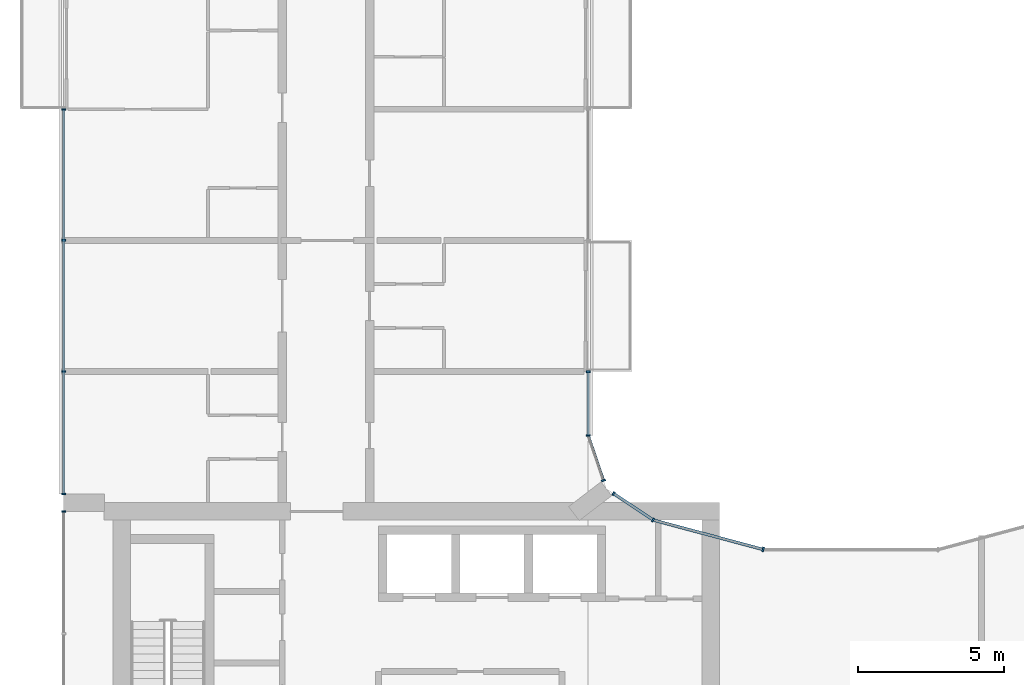
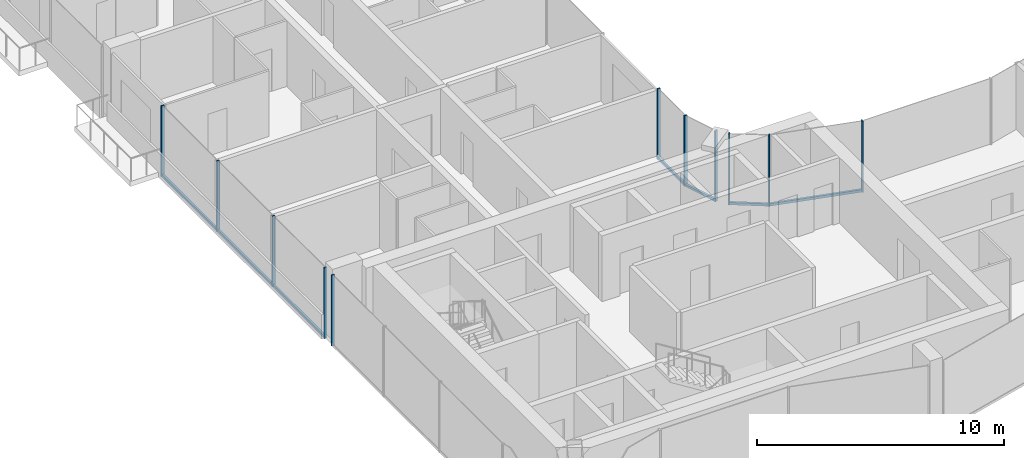
# One storey, part 4 of 15: 16 members, 6 elements without a shape of their own.
"""IFC4 building model written with IfcOpenShell, lengths in metres."""

import ifcopenshell
import ifcopenshell.guid

model = None  # the IFC model being written
_history = None  # IfcOwnerHistory: only IFC2X3 demands one
_inside = {}  # id of a spatial element -> (the spatial element, [elements in it])
_under = {}  # id of a project, library or spatial element -> (it, [spatial elements below it])
_declared = {}  # id of a project -> (the project, [libraries it declares])
_typed = {}  # id of a type object -> (the type object, [elements of that type])
_made_of = {}  # id of a material, layer set ... -> (it, [elements and type objects made of it])


def new_model(schema):
    """Start an empty IFC model of exactly this schema.

    Asked for "IFC4X3", IfcOpenShell would pick the latest addendum, in which some entities
    have other attributes; the version numbers below select the first issue.
    IFC2X3 requires an IfcOwnerHistory on every rooted entity: one is made here for all.
    """
    global model, _history
    if schema == "IFC4X3":
        model = ifcopenshell.file(schema_version=(4, 3, 0, 0))
    else:
        model = ifcopenshell.file(schema=schema)
    _inside.clear()
    _under.clear()
    _declared.clear()
    _typed.clear()
    _made_of.clear()
    _history = None
    if model.schema == "IFC2X3":
        org = make("IfcOrganization", Name="unknown")
        user = make(
            "IfcPersonAndOrganization",
            ThePerson=make("IfcPerson", FamilyName="unknown"),
            TheOrganization=org,
        )
        app = make(
            "IfcApplication",
            ApplicationDeveloper=org,
            Version="unknown",
            ApplicationFullName="unknown",
            ApplicationIdentifier="unknown",
        )
        _history = make(
            "IfcOwnerHistory",
            OwningUser=user,
            OwningApplication=app,
            ChangeAction="ADDED",
            CreationDate=0,
        )
    return model


def make(cls, **values):
    """One entity of the class cls with the attributes given. An attribute that is None is left unset."""
    return model.create_entity(
        cls, **{name: value for name, value in values.items() if value is not None}
    )


def rooted(cls, **values):
    """An entity with a GlobalId (a new one), such as an element, a storey or a relation."""
    return make(cls, GlobalId=ifcopenshell.guid.new(), OwnerHistory=_history, **values)


def si_unit(unit_type, name, prefix=None):
    """IfcSIUnit, for example si_unit("LENGTHUNIT", "METRE", prefix="MILLI")."""
    return make("IfcSIUnit", UnitType=unit_type, Prefix=prefix, Name=name)


def assignment(units):
    """IfcUnitAssignment: the units of a project."""
    return None if units is None else make("IfcUnitAssignment", Units=units)


def point(xyz):
    """IfcCartesianPoint."""
    return None if xyz is None else make("IfcCartesianPoint", Coordinates=xyz)


def direction(xyz):
    """IfcDirection."""
    return None if xyz is None else make("IfcDirection", DirectionRatios=xyz)


def frame(location, z_axis=None, x_axis=None):
    """IfcAxis2Placement3D, a coordinate frame: its origin and axes. An axis left out is left unset."""
    return make(
        "IfcAxis2Placement3D",
        Location=point(location),
        Axis=direction(z_axis),
        RefDirection=direction(x_axis),
    )


def frame_2d(location, x_axis=None):
    """IfcAxis2Placement2D, a coordinate frame in the plane: its origin and x axis."""
    return make(
        "IfcAxis2Placement2D", Location=point(location), RefDirection=direction(x_axis)
    )


def origin():
    """The frame at (0, 0, 0) with its axes left unset."""
    return frame((0.0, 0.0, 0.0))


def origin_2d():
    """The frame at (0, 0) in the plane with its x axis left unset."""
    return frame_2d((0.0, 0.0))


def place(relative_to, where):
    """IfcLocalPlacement: puts the frame where relative to a parent placement (None: the world)."""
    return make(
        "IfcLocalPlacement", PlacementRelTo=relative_to, RelativePlacement=where
    )


def context(
    kind, dimensions, precision=None, world=None, true_north=None, identifier=None
):
    """IfcGeometricRepresentationContext, for example the 3D "Model" context."""
    return make(
        "IfcGeometricRepresentationContext",
        ContextIdentifier=identifier,
        ContextType=kind,
        CoordinateSpaceDimension=dimensions,
        Precision=precision,
        WorldCoordinateSystem=world,
        TrueNorth=true_north,
    )


def subcontext(parent, identifier, kind, view, scale=None):
    """IfcGeometricRepresentationSubContext, for example "Body" below "Model"."""
    return make(
        "IfcGeometricRepresentationSubContext",
        ContextIdentifier=identifier,
        ContextType=kind,
        ParentContext=parent,
        TargetScale=scale,
        TargetView=view,
    )


def project(units=None, contexts=None):
    """IfcProject with its units and contexts."""
    return rooted(
        "IfcProject",
        Name="project",
        RepresentationContexts=contexts,
        UnitsInContext=assignment(units),
    )


def spatial(cls, under=None, at=None, **own):
    """A site, building, storey or space (cls), placed at a placement, below another one or the project."""
    s = rooted(cls, ObjectPlacement=at, **own)
    if under is not None:
        _under.setdefault(under.id(), (under, []))[1].append(s)
    return s


def profile(cls, at=None, kind="AREA", **sizes):
    """A parametric profile (cls). Its sizes go by their IFC names, for example OverallWidth=200.0."""
    return make(cls, ProfileType=kind, Position=at, **sizes)


def rectangle(**sizes):
    """IfcRectangleProfileDef."""
    return profile("IfcRectangleProfileDef", **sizes)


def extrude(swept, where, along, depth):
    """IfcExtrudedAreaSolid: the profile swept, set in the frame where, extruded along a direction by depth."""
    return make(
        "IfcExtrudedAreaSolid",
        SweptArea=swept,
        Position=where,
        ExtrudedDirection=direction(along),
        Depth=depth,
    )


def shape(context_of_items, identifier, shape_type, items):
    """IfcShapeRepresentation: the items that make up one representation, for example the "Body"."""
    return make(
        "IfcShapeRepresentation",
        ContextOfItems=context_of_items,
        RepresentationIdentifier=identifier,
        RepresentationType=shape_type,
        Items=items,
    )


def material(Name=None, Category=None):
    """IfcMaterial."""
    return make("IfcMaterial", Name=Name, Category=Category)


def layer(
    of_material, thickness, ventilated=None, Name=None, Category=None, Priority=None
):
    """IfcMaterialLayer: one layer of a wall or slab, of a material (None: an air gap)."""
    return make(
        "IfcMaterialLayer",
        Material=of_material,
        LayerThickness=thickness,
        IsVentilated=ventilated,
        Name=Name,
        Category=Category,
        Priority=Priority,
    )


def layer_set(layers, Name=None):
    """IfcMaterialLayerSet."""
    return make("IfcMaterialLayerSet", MaterialLayers=layers, LayerSetName=Name)


def material_profile(
    of_material, cross_section, Name=None, Category=None, Priority=None
):
    """IfcMaterialProfile: a cross section and its material."""
    return make(
        "IfcMaterialProfile",
        Name=Name,
        Material=of_material,
        Profile=cross_section,
        Priority=Priority,
        Category=Category,
    )


def profile_set(profiles, Name=None, composite=None):
    """IfcMaterialProfileSet."""
    return make(
        "IfcMaterialProfileSet",
        Name=Name,
        MaterialProfiles=profiles,
        CompositeProfile=composite,
    )


def made_of(thing, what):
    """Note that an element or type object is made of a material, layer set ...; save() writes the relation."""
    if what is not None:
        _made_of.setdefault(what.id(), (what, []))[1].append(thing)
    return thing


def type_object(cls, material=None, **own):
    """A type object (cls), such as IfcWallType, which elements share."""
    return made_of(rooted(cls, **own), material)


def element(
    cls,
    number,
    at=None,
    inside=None,
    cuts=None,
    type_object=None,
    material=None,
    context=None,
    identifier="Body",
    shape_type=None,
    held_by="IfcProductDefinitionShape",
    body=None,
    shapes=None,
    **own,
):
    """One element of the class cls, such as IfcWall. Its Tag is "e" and its number.

    at: its placement. inside: the storey or other place that contains it. cuts: it is an
    opening in that element (IfcRelVoidsElement). A single representation is given by context,
    identifier, shape_type and body (its items); several are given by shapes. held_by: the class
    of the entity that holds the representations. save() writes the other relations.
    """
    e = rooted(cls, Tag="e%d" % number, ObjectPlacement=at, **own)
    if body is not None:
        shapes = [shape(context, identifier, shape_type, body)]
    if shapes is not None:
        e.Representation = make(held_by, Representations=shapes)
    if inside is not None:
        _inside.setdefault(inside.id(), (inside, []))[1].append(e)
    if cuts is not None:
        rooted(
            "IfcRelVoidsElement", RelatingBuildingElement=cuts, RelatedOpeningElement=e
        )
    if type_object is not None:
        _typed.setdefault(type_object.id(), (type_object, []))[1].append(e)
    return made_of(e, material)


def aggregate(whole, parts):
    """IfcRelAggregates: a whole, such as a stair, and the parts it consists of."""
    return rooted("IfcRelAggregates", RelatingObject=whole, RelatedObjects=parts)


def save(model, path):
    """Write the relations noted so far, then the file.

    IfcRelAggregates (storeys below a building ...), IfcRelContainedInSpatialStructure (elements
    in a storey), IfcRelDefinesByType, IfcRelAssociatesMaterial and IfcRelDeclares: one each for
    every whole, place, type object, material and project.
    """
    for whole, parts in _under.values():
        aggregate(whole, parts)
    for where, things in _inside.values():
        rooted(
            "IfcRelContainedInSpatialStructure",
            RelatedElements=things,
            RelatingStructure=where,
        )
    for kind, things in _typed.values():
        rooted("IfcRelDefinesByType", RelatedObjects=things, RelatingType=kind)
    for what, things in _made_of.values():
        rooted("IfcRelAssociatesMaterial", RelatedObjects=things, RelatingMaterial=what)
    for by, libraries in _declared.values():
        rooted("IfcRelDeclares", RelatingContext=by, RelatedDefinitions=libraries)
    model.write(path)


model = new_model("IFC4")

# Units and contexts
model_context = context("Model", 3, precision=1e-05, world=origin(), true_north=direction((0.0, 1.0)))
body_context = subcontext(model_context, "Body", "Model", "MODEL_VIEW")
ifc_project = project(units=[si_unit("LENGTHUNIT", "METRE"), si_unit("AREAUNIT", "SQUARE_METRE"), si_unit("VOLUMEUNIT", "CUBIC_METRE"), si_unit("PLANEANGLEUNIT", "RADIAN"), si_unit("MASSUNIT", "GRAM", prefix="KILO")], contexts=[model_context])

# Site, building, storey
site_placement = place(None, origin())
site = spatial("IfcSite", under=ifc_project, at=site_placement, CompositionType="ELEMENT")
building_placement = place(site_placement, origin())
building = spatial("IfcBuilding", under=site, at=building_placement, Name="Plateau Cross Towers", CompositionType="ELEMENT")
storey_placement = place(building_placement, frame((0.0, 0.0, 149.89990234375)))
storey = spatial("IfcBuildingStorey", under=building, at=storey_placement, Name="L38", CompositionType="ELEMENT", Elevation=149.89990234375)

# Curtain wall, members
ifc_material_1 = material(Name="Dark low-iron glass", Category="glass")
ifc_layer_1 = layer(ifc_material_1, 0.239990234375)
ifc_layer_set_1 = layer_set([ifc_layer_1], Name="Dark low-iron glass")
curtain_wall_type_1 = type_object("IfcCurtainWallType", Name="Curtain wall flush unitised CW-B", PredefinedType="NOTDEFINED", material=ifc_layer_set_1)
curtain_wall_1_placement = place(storey_placement, origin())
curtain_wall_1 = element("IfcCurtainWall", 1, at=curtain_wall_1_placement, inside=storey, type_object=curtain_wall_type_1, Name="ENV/A/L38/A202_174", PredefinedType="NOTDEFINED")
ifc_material_2 = material(Name="Black anodised aluminium", Category="aluminium")
ifc_material_profile_1 = material_profile(ifc_material_2, rectangle(XDim=0.06005859375, YDim=0.139892578125, at=origin_2d()), Name="MULLION 60x140")
ifc_profile_set_1 = profile_set([ifc_material_profile_1], Name="Black anodised aluminium")
member_type_1 = type_object("IfcMemberType", Name="Mullion 60x140 flush unitised", PredefinedType="MULLION", material=ifc_profile_set_1)
member_1_placement = place(storey_placement, frame((20.223876953125, 17.404296875, -0.25), z_axis=(0.0, 0.0, 1.0), x_axis=(-0.831521253329, 0.555492938984, 0.0)))
member_1 = element("IfcMember", 2, at=member_1_placement, type_object=member_type_1, Name="CW-B mullion 1", PredefinedType="MULLION", context=body_context, shape_type="SweptSolid", body=[
    extrude(rectangle(XDim=0.06005859375, YDim=0.139892578125, at=origin_2d()), origin(), (0.0, 0.0, 1.0), 3.5),
])
member_2_placement = place(storey_placement, frame((18.86962890625, 18.30908203125, -0.25), z_axis=(0.0, 0.0, 1.0), x_axis=(-0.831521253329, 0.555492938984, 0.0)))
member_2 = element("IfcMember", 3, at=member_2_placement, type_object=member_type_1, Name="CW-B mullion 2", PredefinedType="MULLION", context=body_context, shape_type="SweptSolid", body=[
    extrude(rectangle(XDim=0.06005859375, YDim=0.139892578125, at=origin_2d()), origin(), (0.0, 0.0, 1.0), 3.5),
])

# Curtain wall, member
curtain_wall_2_placement = place(storey_placement, origin())
curtain_wall_2 = element("IfcCurtainWall", 4, at=curtain_wall_2_placement, inside=storey, type_object=curtain_wall_type_1, Name="ENV/A/L38/A185_188", PredefinedType="NOTDEFINED")
member_3_placement = place(storey_placement, frame((18.523681640625, 18.760009765625, -0.25), z_axis=(0.0, 0.0, 1.0), x_axis=(-0.321469161574, 0.94692004845, 0.0)))
member_3 = element("IfcMember", 5, at=member_3_placement, type_object=member_type_1, Name="CW-B mullion 1", PredefinedType="MULLION", context=body_context, shape_type="SweptSolid", body=[
    extrude(rectangle(XDim=0.06005859375, YDim=0.139892578125, at=origin_2d()), origin(), (0.0, 0.0, 1.0), 3.5),
])

# Curtain wall, members
curtain_wall_3_placement = place(storey_placement, origin())
curtain_wall_3 = element("IfcCurtainWall", 6, at=curtain_wall_3_placement, inside=storey, type_object=curtain_wall_type_1, Name="ENV/A/L38/A180_203", PredefinedType="NOTDEFINED")
member_4_placement = place(storey_placement, frame((18.0, 20.30224609375, -0.25), z_axis=(0.0, 0.0, 1.0), x_axis=(0.0, 1.0, 0.0)))
member_4 = element("IfcMember", 7, at=member_4_placement, type_object=member_type_1, Name="CW-B mullion 1", PredefinedType="MULLION", context=body_context, shape_type="SweptSolid", body=[
    extrude(rectangle(XDim=0.06005859375, YDim=0.139892578125, at=origin_2d()), origin(), (0.0, 0.0, 1.0), 3.5),
])
member_5_placement = place(storey_placement, frame((18.0, 22.489990234375, -0.25), z_axis=(0.0, 0.0, 1.0), x_axis=(0.0, 1.0, 0.0)))
member_5 = element("IfcMember", 8, at=member_5_placement, type_object=member_type_1, Name="CW-B mullion 2", PredefinedType="MULLION", context=body_context, shape_type="SweptSolid", body=[
    extrude(rectangle(XDim=0.06005859375, YDim=0.139892578125, at=origin_2d()), origin(), (0.0, 0.0, 1.0), 3.5),
])

curtain_wall_4_placement = place(storey_placement, origin())
curtain_wall_4 = element("IfcCurtainWall", 9, at=curtain_wall_4_placement, inside=storey, type_object=curtain_wall_type_1, Name="ENV/A/L38/A0_315", PredefinedType="NOTDEFINED")
member_6_placement = place(storey_placement, frame((0.0, 31.489990234375, -0.25), z_axis=(0.0, 0.0, 1.0), x_axis=(0.0, -1.0, 0.0)))
member_6 = element("IfcMember", 10, at=member_6_placement, type_object=member_type_1, Name="CW-B mullion 1", PredefinedType="MULLION", context=body_context, shape_type="SweptSolid", body=[
    extrude(rectangle(XDim=0.06005859375, YDim=0.139892578125, at=origin_2d()), origin(), (0.0, 0.0, 1.0), 3.5),
])
member_7_placement = place(storey_placement, frame((0.0, 27.0, -0.25), z_axis=(0.0, 0.0, 1.0), x_axis=(0.0, -1.0, 0.0)))
member_7 = element("IfcMember", 11, at=member_7_placement, type_object=member_type_1, Name="CW-B mullion 2", PredefinedType="MULLION", context=body_context, shape_type="SweptSolid", body=[
    extrude(rectangle(XDim=0.06005859375, YDim=0.139892578125, at=origin_2d()), origin(), (0.0, 0.0, 1.0), 3.5),
])
member_8_placement = place(storey_placement, frame((0.0, 22.5, -0.25), z_axis=(0.0, 0.0, 1.0), x_axis=(0.0, -1.0, 0.0)))
member_8 = element("IfcMember", 12, at=member_8_placement, type_object=member_type_1, Name="CW-B mullion 3", PredefinedType="MULLION", context=body_context, shape_type="SweptSolid", body=[
    extrude(rectangle(XDim=0.06005859375, YDim=0.139892578125, at=origin_2d()), origin(), (0.0, 0.0, 1.0), 3.5),
])
member_9_placement = place(storey_placement, frame((0.0, 18.300048828125, -0.25), z_axis=(0.0, 0.0, 1.0), x_axis=(0.0, -1.0, 0.0)))
member_9 = element("IfcMember", 13, at=member_9_placement, type_object=member_type_1, Name="CW-B mullion 4", PredefinedType="MULLION", context=body_context, shape_type="SweptSolid", body=[
    extrude(rectangle(XDim=0.06005859375, YDim=0.139892578125, at=origin_2d()), origin(), (0.0, 0.0, 1.0), 3.5),
])

# Curtain wall, member
curtain_wall_5_placement = place(storey_placement, origin())
curtain_wall_5 = element("IfcCurtainWall", 14, at=curtain_wall_5_placement, inside=storey, type_object=curtain_wall_type_1, Name="ENV/A/L38/A0_177", PredefinedType="NOTDEFINED")
member_10_placement = place(storey_placement, frame((0.0, 17.699951171875, -0.25), z_axis=(0.0, 0.0, 1.0), x_axis=(0.0, -1.0, 0.0)))
member_10 = element("IfcMember", 15, at=member_10_placement, type_object=member_type_1, Name="CW-B mullion 1", PredefinedType="MULLION", context=body_context, shape_type="SweptSolid", body=[
    extrude(rectangle(XDim=0.06005859375, YDim=0.139892578125, at=origin_2d()), origin(), (0.0, 0.0, 1.0), 3.5),
])
aggregate(curtain_wall_5, [member_10])

ifc_layer_2 = layer(ifc_material_1, 0.260009765625)
ifc_layer_set_2 = layer_set([ifc_layer_2], Name="Dark low-iron glass")
curtain_wall_type_2 = type_object("IfcCurtainWallType", Name="Curtain wall fluted unitised CW-A", PredefinedType="NOTDEFINED", material=ifc_layer_set_2)
curtain_wall_6_placement = place(storey_placement, origin())
curtain_wall_6 = element("IfcCurtainWall", 16, at=curtain_wall_6_placement, inside=storey, type_object=curtain_wall_type_2, Name="ENV/A/L38/A240_164", PredefinedType="NOTDEFINED")
ifc_material_profile_2 = material_profile(ifc_material_2, rectangle(XDim=0.06005859375, YDim=0.159912109375, at=origin_2d()), Name="MULLION 60x160")
ifc_profile_set_2 = profile_set([ifc_material_profile_2], Name="Black anodised aluminium")
member_type_2 = type_object("IfcMemberType", Name="Mullion 60x160 fluted unitised", PredefinedType="MULLION", material=ifc_profile_set_2)
member_11_placement = place(storey_placement, frame((24.0, 16.39306640625, -0.25), z_axis=(0.0, 0.0, 1.0), x_axis=(-0.965957995816, 0.258698956933, 0.0)))
member_11 = element("IfcMember", 17, at=member_11_placement, type_object=member_type_2, Name="CW-A mullion 1", PredefinedType="MULLION", context=body_context, shape_type="SweptSolid", body=[
    extrude(rectangle(XDim=0.06005859375, YDim=0.159912109375, at=origin_2d()), origin(), (0.0, 0.0, 1.0), 3.5),
])

# Member
ifc_material_profile_3 = material_profile(ifc_material_2, rectangle(XDim=0.10009765625, YDim=0.1201171875, at=origin_2d()), Name="TRANSOM 100x120")
ifc_profile_set_3 = profile_set([ifc_material_profile_3], Name="Black anodised aluminium")
member_type_3 = type_object("IfcMemberType", Name="Transom 100x120 flush unitised", PredefinedType="USERDEFINED", material=ifc_profile_set_3)
member_12_placement = place(storey_placement, frame((20.223876953125, 17.404296875, -0.18994140625), z_axis=(-0.831496402487, 0.555530136582, 0.0), x_axis=(-0.555530136582, -0.831496402487, 0.0)))
member_12 = element("IfcMember", 18, at=member_12_placement, type_object=member_type_3, Name="CW-B transom", ObjectType="TRANSOM", PredefinedType="USERDEFINED", context=body_context, shape_type="SweptSolid", body=[
    extrude(rectangle(XDim=0.10009765625, YDim=0.1201171875, at=origin_2d()), origin(), (0.0, 0.0, 1.0), 1.628662109375),
])

aggregate(curtain_wall_1, [member_1, member_2, member_12])

member_13_placement = place(storey_placement, frame((18.523681640625, 18.760009765625, -0.18994140625), z_axis=(-0.321529174838, 0.946899672472, 0.0), x_axis=(-0.946899672472, -0.321529174838, 0.0)))
member_13 = element("IfcMember", 19, at=member_13_placement, type_object=member_type_3, Name="CW-B transom", ObjectType="TRANSOM", PredefinedType="USERDEFINED", context=body_context, shape_type="SweptSolid", body=[
    extrude(rectangle(XDim=0.10009765625, YDim=0.1201171875, at=origin_2d()), origin(), (0.0, 0.0, 1.0), 1.628662109375),
])

aggregate(curtain_wall_2, [member_3, member_13])

member_14_placement = place(storey_placement, frame((18.0, 20.30224609375, -0.18994140625), z_axis=(0.0, 1.0, 0.0), x_axis=(-1.0, 0.0, 0.0)))
member_14 = element("IfcMember", 20, at=member_14_placement, type_object=member_type_3, Name="CW-B transom", ObjectType="TRANSOM", PredefinedType="USERDEFINED", context=body_context, shape_type="SweptSolid", body=[
    extrude(rectangle(XDim=0.10009765625, YDim=0.1201171875, at=origin_2d()), origin(), (0.0, 0.0, 1.0), 2.187744140625),
])

aggregate(curtain_wall_3, [member_4, member_5, member_14])

member_15_placement = place(storey_placement, frame((0.0, 31.489990234375, -0.18994140625), z_axis=(0.0, -1.0, 0.0), x_axis=(1.0, 0.0, 0.0)))
member_15 = element("IfcMember", 21, at=member_15_placement, type_object=member_type_3, Name="CW-B transom", ObjectType="TRANSOM", PredefinedType="USERDEFINED", context=body_context, shape_type="SweptSolid", body=[
    extrude(rectangle(XDim=0.10009765625, YDim=0.1201171875, at=origin_2d()), origin(), (0.0, 0.0, 1.0), 13.18994140625),
])

aggregate(curtain_wall_4, [member_6, member_7, member_8, member_9, member_15])

ifc_material_profile_4 = material_profile(ifc_material_2, rectangle(XDim=0.10009765625, YDim=0.1201171875, at=origin_2d()), Name="TRANSOM 100x120")
ifc_profile_set_4 = profile_set([ifc_material_profile_4], Name="Black anodised aluminium")
member_type_4 = type_object("IfcMemberType", Name="Transom 100x120 fluted unitised", PredefinedType="USERDEFINED", material=ifc_profile_set_4)
member_16_placement = place(storey_placement, frame((24.0, 16.39306640625, -0.18994140625), z_axis=(-0.965962822393, 0.25868093427, 0.0), x_axis=(-0.25868093427, -0.965962822393, 0.0)))
member_16 = element("IfcMember", 22, at=member_16_placement, type_object=member_type_4, Name="CW-A transom", ObjectType="TRANSOM", PredefinedType="USERDEFINED", context=body_context, shape_type="SweptSolid", body=[
    extrude(rectangle(XDim=0.10009765625, YDim=0.1201171875, at=origin_2d()), origin(), (0.0, 0.0, 1.0), 3.9091796875),
])

aggregate(curtain_wall_6, [member_11, member_16])

save(model, "model.ifc")
